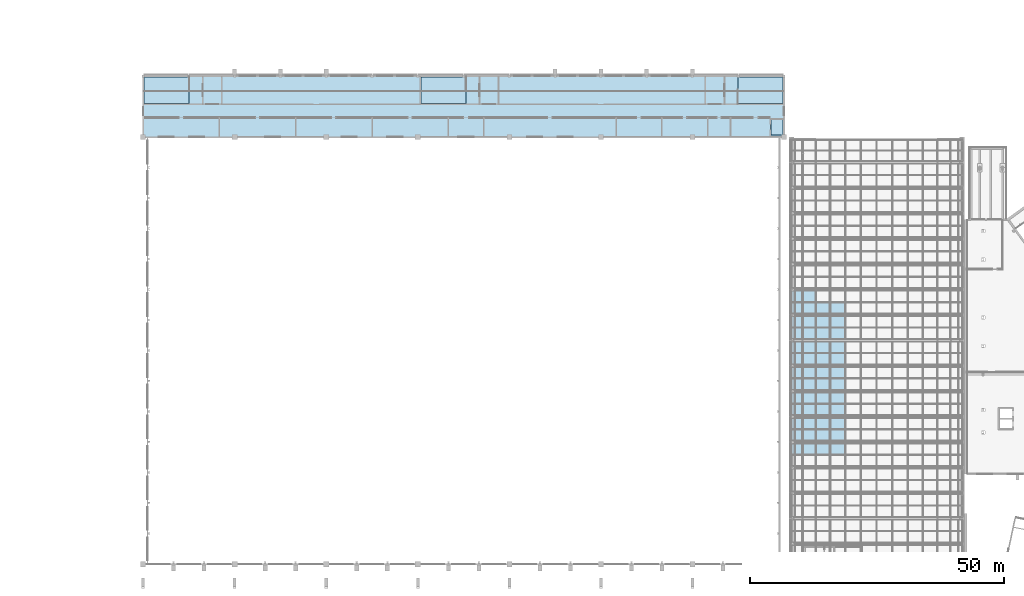
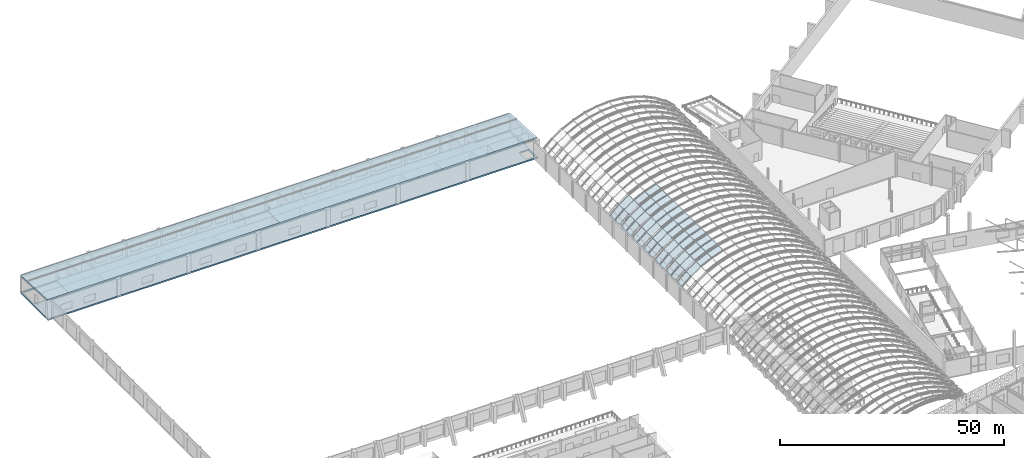
# One storey, part 112 of 182: 50 plates, 2 slabs, 7 elements without a shape of their own.
"""IFC4 building model written with IfcOpenShell, lengths in metres."""

from ifc_helpers import new_model, si_unit, direction, frame, origin, place, context, subcontext, project, spatial, polyline, outline, extrude, material, layer, layer_set, type_object, element, aggregate, save


model = new_model("IFC4")

# Units and contexts
model_context = context("Model", 3, precision=1e-05, world=origin(), true_north=direction((0.0, 1.0)))
body_context = subcontext(model_context, "Body", "Model", "MODEL_VIEW")
ifc_project = project(units=[si_unit("LENGTHUNIT", "METRE"), si_unit("AREAUNIT", "SQUARE_METRE"), si_unit("VOLUMEUNIT", "CUBIC_METRE"), si_unit("PLANEANGLEUNIT", "RADIAN"), si_unit("MASSUNIT", "GRAM", prefix="KILO")], contexts=[model_context])

# Site, building, storey
site_placement = place(None, origin())
site = spatial("IfcSite", under=ifc_project, at=site_placement, CompositionType="ELEMENT")
building_placement = place(site_placement, origin())
building = spatial("IfcBuilding", under=site, at=building_placement, Name="Okhra Congress Centre", CompositionType="ELEMENT")
storey_placement = place(building_placement, frame((0.0, 0.0, 7.199951171875)))
storey = spatial("IfcBuildingStorey", under=building, at=storey_placement, Name="L01", CompositionType="ELEMENT", Elevation=7.199951171875)

# Curtain wall, plates
ifc_material_1 = material(Name="Aluminium frame with triple glazing", Category="aluminium")
curtain_wall_type = type_object("IfcCurtainWallType", Name="Glazed vault bay curtain wall", PredefinedType="NOTDEFINED", material=ifc_material_1)
curtain_wall_1_placement = place(storey_placement, origin())
curtain_wall_1 = element("IfcCurtainWall", 1, at=curtain_wall_1_placement, inside=storey, type_object=curtain_wall_type, Name="Vault glazing bay 16", PredefinedType="NOTDEFINED")
ifc_material_2 = material(Name="Laminated toughened glass unit, low-e coating", Category="glass")
ifc_layer_1 = layer(ifc_material_2, 0.035888671875)
ifc_layer_set_1 = layer_set([ifc_layer_1], Name="Laminated safety glazing unit 36 mm")
plate_type_1 = type_object("IfcPlateType", Name="Laminated safety glazing unit 36 mm", PredefinedType="CURTAIN_PANEL", material=ifc_layer_set_1)
plate_1_placement = place(storey_placement, frame((155.3994140625, 153.530029296875, 1.94140625), z_axis=(-0.663696509452, 0.0, 0.748001967472), x_axis=(0.748001967472, 0.0, 0.663696509452)))
plate_1 = element("IfcPlate", 2, at=plate_1_placement, type_object=plate_type_1, Name="Vault glass panel 16.2.1", PredefinedType="CURTAIN_PANEL", context=body_context, shape_type="SweptSolid", body=[
    extrude(outline(polyline([(0.0, 0.0), (3.066763741617069, 0.0), (3.066763741617069, 2.206787109375), (0.0, 2.206787109375), (0.0, 0.0)])), origin(), (0.0, 0.0, -1.0), 0.035888671875),
])
plate_2_placement = place(storey_placement, frame((157.740478515625, 153.530029296875, 4.013427734375), z_axis=(-0.55946738617, 0.0, 0.82885236551), x_axis=(0.82885236551, 0.0, 0.55946738617)))
plate_2 = element("IfcPlate", 3, at=plate_2_placement, type_object=plate_type_1, Name="Vault glass panel 16.2.2", PredefinedType="CURTAIN_PANEL", context=body_context, shape_type="SweptSolid", body=[
    extrude(outline(polyline([(0.0, 0.0), (3.0668817430899797, 0.0), (3.0668817430899797, 2.206787109375), (0.0, 2.206787109375), (0.0, 0.0)])), origin(), (0.0, 0.0, -1.0), 0.035888671875),
])

curtain_wall_2_placement = place(storey_placement, origin())
curtain_wall_2 = element("IfcCurtainWall", 4, at=curtain_wall_2_placement, inside=storey, type_object=curtain_wall_type, Name="Vault glazing bay 17", PredefinedType="NOTDEFINED")
plate_3_placement = place(storey_placement, frame((155.3994140625, 156.26318359375, 1.94140625), z_axis=(-0.663696509452, 0.0, 0.748001967472), x_axis=(0.748001967472, 0.0, 0.663696509452)))
plate_3 = element("IfcPlate", 5, at=plate_3_placement, type_object=plate_type_1, Name="Vault glass panel 17.1.1", PredefinedType="CURTAIN_PANEL", context=body_context, shape_type="SweptSolid", body=[
    extrude(outline(polyline([(0.0, 0.0), (3.066763741617069, 0.0), (3.066763741617069, 2.206787109375), (0.0, 2.206787109375), (0.0, 0.0)])), origin(), (0.0, 0.0, -1.0), 0.035888671875),
])
plate_4_placement = place(storey_placement, frame((157.740478515625, 156.26318359375, 4.013427734375), z_axis=(-0.55946738617, 0.0, 0.82885236551), x_axis=(0.82885236551, 0.0, 0.55946738617)))
plate_4 = element("IfcPlate", 6, at=plate_4_placement, type_object=plate_type_1, Name="Vault glass panel 17.1.2", PredefinedType="CURTAIN_PANEL", context=body_context, shape_type="SweptSolid", body=[
    extrude(outline(polyline([(0.0, 0.0), (3.0668817430899797, 0.0), (3.0668817430899797, 2.206787109375), (0.0, 2.206787109375), (0.0, 0.0)])), origin(), (0.0, 0.0, -1.0), 0.035888671875),
])
plate_5_placement = place(storey_placement, frame((155.3994140625, 158.530029296875, 1.94140625), z_axis=(-0.663696509452, 0.0, 0.748001967472), x_axis=(0.748001967472, 0.0, 0.663696509452)))
plate_5 = element("IfcPlate", 7, at=plate_5_placement, type_object=plate_type_1, Name="Vault glass panel 17.2.1", PredefinedType="CURTAIN_PANEL", context=body_context, shape_type="SweptSolid", body=[
    extrude(outline(polyline([(0.0, 0.0), (3.066763741617069, 0.0), (3.066763741617069, 2.206787109375), (0.0, 2.206787109375), (0.0, 0.0)])), origin(), (0.0, 0.0, -1.0), 0.035888671875),
])
plate_6_placement = place(storey_placement, frame((157.740478515625, 158.530029296875, 4.013427734375), z_axis=(-0.55946738617, 0.0, 0.82885236551), x_axis=(0.82885236551, 0.0, 0.55946738617)))
plate_6 = element("IfcPlate", 8, at=plate_6_placement, type_object=plate_type_1, Name="Vault glass panel 17.2.2", PredefinedType="CURTAIN_PANEL", context=body_context, shape_type="SweptSolid", body=[
    extrude(outline(polyline([(0.0, 0.0), (3.0668817430899797, 0.0), (3.0668817430899797, 2.206787109375), (0.0, 2.206787109375), (0.0, 0.0)])), origin(), (0.0, 0.0, -1.0), 0.035888671875),
])

curtain_wall_3_placement = place(storey_placement, origin())
curtain_wall_3 = element("IfcCurtainWall", 9, at=curtain_wall_3_placement, inside=storey, type_object=curtain_wall_type, Name="Vault glazing bay 18", PredefinedType="NOTDEFINED")
plate_7_placement = place(storey_placement, frame((155.3994140625, 161.26318359375, 1.94140625), z_axis=(-0.663696509452, 0.0, 0.748001967472), x_axis=(0.748001967472, 0.0, 0.663696509452)))
plate_7 = element("IfcPlate", 10, at=plate_7_placement, type_object=plate_type_1, Name="Vault glass panel 18.1.1", PredefinedType="CURTAIN_PANEL", context=body_context, shape_type="SweptSolid", body=[
    extrude(outline(polyline([(0.0, 0.0), (3.066763741617069, 0.0), (3.066763741617069, 2.206787109375), (0.0, 2.206787109375), (0.0, 0.0)])), origin(), (0.0, 0.0, -1.0), 0.035888671875),
])
plate_8_placement = place(storey_placement, frame((157.740478515625, 161.26318359375, 4.013427734375), z_axis=(-0.55946738617, 0.0, 0.82885236551), x_axis=(0.82885236551, 0.0, 0.55946738617)))
plate_8 = element("IfcPlate", 11, at=plate_8_placement, type_object=plate_type_1, Name="Vault glass panel 18.1.2", PredefinedType="CURTAIN_PANEL", context=body_context, shape_type="SweptSolid", body=[
    extrude(outline(polyline([(0.0, 0.0), (3.0668817430899797, 0.0), (3.0668817430899797, 2.206787109375), (0.0, 2.206787109375), (0.0, 0.0)])), origin(), (0.0, 0.0, -1.0), 0.035888671875),
])
plate_9_placement = place(storey_placement, frame((155.3994140625, 163.530029296875, 1.94140625), z_axis=(-0.663696509452, 0.0, 0.748001967472), x_axis=(0.748001967472, 0.0, 0.663696509452)))
plate_9 = element("IfcPlate", 12, at=plate_9_placement, type_object=plate_type_1, Name="Vault glass panel 18.2.1", PredefinedType="CURTAIN_PANEL", context=body_context, shape_type="SweptSolid", body=[
    extrude(outline(polyline([(0.0, 0.0), (3.066763741617069, 0.0), (3.066763741617069, 2.206787109375), (0.0, 2.206787109375), (0.0, 0.0)])), origin(), (0.0, 0.0, -1.0), 0.035888671875),
])
plate_10_placement = place(storey_placement, frame((157.740478515625, 163.530029296875, 4.013427734375), z_axis=(-0.55946738617, 0.0, 0.82885236551), x_axis=(0.82885236551, 0.0, 0.55946738617)))
plate_10 = element("IfcPlate", 13, at=plate_10_placement, type_object=plate_type_1, Name="Vault glass panel 18.2.2", PredefinedType="CURTAIN_PANEL", context=body_context, shape_type="SweptSolid", body=[
    extrude(outline(polyline([(0.0, 0.0), (3.0668817430899797, 0.0), (3.0668817430899797, 2.206787109375), (0.0, 2.206787109375), (0.0, 0.0)])), origin(), (0.0, 0.0, -1.0), 0.035888671875),
])

curtain_wall_4_placement = place(storey_placement, origin())
curtain_wall_4 = element("IfcCurtainWall", 14, at=curtain_wall_4_placement, inside=storey, type_object=curtain_wall_type, Name="Vault glazing bay 19", PredefinedType="NOTDEFINED")
plate_11_placement = place(storey_placement, frame((155.3994140625, 166.26318359375, 1.94140625), z_axis=(-0.663696509452, 0.0, 0.748001967472), x_axis=(0.748001967472, 0.0, 0.663696509452)))
plate_11 = element("IfcPlate", 15, at=plate_11_placement, type_object=plate_type_1, Name="Vault glass panel 19.1.1", PredefinedType="CURTAIN_PANEL", context=body_context, shape_type="SweptSolid", body=[
    extrude(outline(polyline([(0.0, 0.0), (3.066763741617069, 0.0), (3.066763741617069, 2.206787109375), (0.0, 2.206787109375), (0.0, 0.0)])), origin(), (0.0, 0.0, -1.0), 0.035888671875),
])
plate_12_placement = place(storey_placement, frame((157.740478515625, 166.26318359375, 4.013427734375), z_axis=(-0.55946738617, 0.0, 0.82885236551), x_axis=(0.82885236551, 0.0, 0.55946738617)))
plate_12 = element("IfcPlate", 16, at=plate_12_placement, type_object=plate_type_1, Name="Vault glass panel 19.1.2", PredefinedType="CURTAIN_PANEL", context=body_context, shape_type="SweptSolid", body=[
    extrude(outline(polyline([(0.0, 0.0), (3.0668817430899797, 0.0), (3.0668817430899797, 2.206787109375), (0.0, 2.206787109375), (0.0, 0.0)])), origin(), (0.0, 0.0, -1.0), 0.035888671875),
])
plate_13_placement = place(storey_placement, frame((155.3994140625, 168.530029296875, 1.94140625), z_axis=(-0.663696509452, 0.0, 0.748001967472), x_axis=(0.748001967472, 0.0, 0.663696509452)))
plate_13 = element("IfcPlate", 17, at=plate_13_placement, type_object=plate_type_1, Name="Vault glass panel 19.2.1", PredefinedType="CURTAIN_PANEL", context=body_context, shape_type="SweptSolid", body=[
    extrude(outline(polyline([(0.0, 0.0), (3.066763741617069, 0.0), (3.066763741617069, 2.206787109375), (0.0, 2.206787109375), (0.0, 0.0)])), origin(), (0.0, 0.0, -1.0), 0.035888671875),
])
plate_14_placement = place(storey_placement, frame((157.740478515625, 168.530029296875, 4.013427734375), z_axis=(-0.55946738617, 0.0, 0.82885236551), x_axis=(0.82885236551, 0.0, 0.55946738617)))
plate_14 = element("IfcPlate", 18, at=plate_14_placement, type_object=plate_type_1, Name="Vault glass panel 19.2.2", PredefinedType="CURTAIN_PANEL", context=body_context, shape_type="SweptSolid", body=[
    extrude(outline(polyline([(0.0, 0.0), (3.0668817430899797, 0.0), (3.0668817430899797, 2.206787109375), (0.0, 2.206787109375), (0.0, 0.0)])), origin(), (0.0, 0.0, -1.0), 0.035888671875),
])

curtain_wall_5_placement = place(storey_placement, origin())
curtain_wall_5 = element("IfcCurtainWall", 19, at=curtain_wall_5_placement, inside=storey, type_object=curtain_wall_type, Name="Vault glazing bay 20", PredefinedType="NOTDEFINED")
plate_15_placement = place(storey_placement, frame((155.3994140625, 171.26318359375, 1.94140625), z_axis=(-0.663696509452, 0.0, 0.748001967472), x_axis=(0.748001967472, 0.0, 0.663696509452)))
plate_15 = element("IfcPlate", 20, at=plate_15_placement, type_object=plate_type_1, Name="Vault glass panel 20.1.1", PredefinedType="CURTAIN_PANEL", context=body_context, shape_type="SweptSolid", body=[
    extrude(outline(polyline([(0.0, 0.0), (3.066763741617069, 0.0), (3.066763741617069, 2.206787109375), (0.0, 2.206787109375), (0.0, 0.0)])), origin(), (0.0, 0.0, -1.0), 0.035888671875),
])
plate_16_placement = place(storey_placement, frame((157.740478515625, 171.26318359375, 4.013427734375), z_axis=(-0.55946738617, 0.0, 0.82885236551), x_axis=(0.82885236551, 0.0, 0.55946738617)))
plate_16 = element("IfcPlate", 21, at=plate_16_placement, type_object=plate_type_1, Name="Vault glass panel 20.1.2", PredefinedType="CURTAIN_PANEL", context=body_context, shape_type="SweptSolid", body=[
    extrude(outline(polyline([(0.0, 0.0), (3.0668817430899797, 0.0), (3.0668817430899797, 2.206787109375), (0.0, 2.206787109375), (0.0, 0.0)])), origin(), (0.0, 0.0, -1.0), 0.035888671875),
])
plate_17_placement = place(storey_placement, frame((155.3994140625, 173.530029296875, 1.94140625), z_axis=(-0.663696509452, 0.0, 0.748001967472), x_axis=(0.748001967472, 0.0, 0.663696509452)))
plate_17 = element("IfcPlate", 22, at=plate_17_placement, type_object=plate_type_1, Name="Vault glass panel 20.2.1", PredefinedType="CURTAIN_PANEL", context=body_context, shape_type="SweptSolid", body=[
    extrude(outline(polyline([(0.0, 0.0), (3.066763741617069, 0.0), (3.066763741617069, 2.206787109375), (0.0, 2.206787109375), (0.0, 0.0)])), origin(), (0.0, 0.0, -1.0), 0.035888671875),
])
plate_18_placement = place(storey_placement, frame((157.740478515625, 173.530029296875, 4.013427734375), z_axis=(-0.55946738617, 0.0, 0.82885236551), x_axis=(0.82885236551, 0.0, 0.55946738617)))
plate_18 = element("IfcPlate", 23, at=plate_18_placement, type_object=plate_type_1, Name="Vault glass panel 20.2.2", PredefinedType="CURTAIN_PANEL", context=body_context, shape_type="SweptSolid", body=[
    extrude(outline(polyline([(0.0, 0.0), (3.0668817430899797, 0.0), (3.0668817430899797, 2.206787109375), (0.0, 2.206787109375), (0.0, 0.0)])), origin(), (0.0, 0.0, -1.0), 0.035888671875),
])

curtain_wall_6_placement = place(storey_placement, origin())
curtain_wall_6 = element("IfcCurtainWall", 24, at=curtain_wall_6_placement, inside=storey, type_object=curtain_wall_type, Name="Vault glazing bay 21", PredefinedType="NOTDEFINED")
plate_19_placement = place(storey_placement, frame((155.3994140625, 176.26318359375, 1.94140625), z_axis=(-0.663696509452, 0.0, 0.748001967472), x_axis=(0.748001967472, 0.0, 0.663696509452)))
plate_19 = element("IfcPlate", 25, at=plate_19_placement, type_object=plate_type_1, Name="Vault glass panel 21.1.1", PredefinedType="CURTAIN_PANEL", context=body_context, shape_type="SweptSolid", body=[
    extrude(outline(polyline([(0.0, 0.0), (3.066763741617069, 0.0), (3.066763741617069, 2.206787109375), (0.0, 2.206787109375), (0.0, 0.0)])), origin(), (0.0, 0.0, -1.0), 0.035888671875),
])
plate_20_placement = place(storey_placement, frame((157.740478515625, 176.26318359375, 4.013427734375), z_axis=(-0.55946738617, 0.0, 0.82885236551), x_axis=(0.82885236551, 0.0, 0.55946738617)))
plate_20 = element("IfcPlate", 26, at=plate_20_placement, type_object=plate_type_1, Name="Vault glass panel 21.1.2", PredefinedType="CURTAIN_PANEL", context=body_context, shape_type="SweptSolid", body=[
    extrude(outline(polyline([(0.0, 0.0), (3.0668817430899797, 0.0), (3.0668817430899797, 2.206787109375), (0.0, 2.206787109375), (0.0, 0.0)])), origin(), (0.0, 0.0, -1.0), 0.035888671875),
])
plate_21_placement = place(storey_placement, frame((155.3994140625, 178.530029296875, 1.94140625), z_axis=(-0.663696509452, 0.0, 0.748001967472), x_axis=(0.748001967472, 0.0, 0.663696509452)))
plate_21 = element("IfcPlate", 27, at=plate_21_placement, type_object=plate_type_1, Name="Vault glass panel 21.2.1", PredefinedType="CURTAIN_PANEL", context=body_context, shape_type="SweptSolid", body=[
    extrude(outline(polyline([(0.0, 0.0), (3.066763741617069, 0.0), (3.066763741617069, 2.206787109375), (0.0, 2.206787109375), (0.0, 0.0)])), origin(), (0.0, 0.0, -1.0), 0.035888671875),
])
plate_22_placement = place(storey_placement, frame((157.740478515625, 178.530029296875, 4.013427734375), z_axis=(-0.55946738617, 0.0, 0.82885236551), x_axis=(0.82885236551, 0.0, 0.55946738617)))
plate_22 = element("IfcPlate", 28, at=plate_22_placement, type_object=plate_type_1, Name="Vault glass panel 21.2.2", PredefinedType="CURTAIN_PANEL", context=body_context, shape_type="SweptSolid", body=[
    extrude(outline(polyline([(0.0, 0.0), (3.0668817430899797, 0.0), (3.0668817430899797, 2.206787109375), (0.0, 2.206787109375), (0.0, 0.0)])), origin(), (0.0, 0.0, -1.0), 0.035888671875),
])

curtain_wall_7_placement = place(storey_placement, origin())
curtain_wall_7 = element("IfcCurtainWall", 29, at=curtain_wall_7_placement, inside=storey, type_object=curtain_wall_type, Name="Vault glazing bay 22", PredefinedType="NOTDEFINED")
plate_23_placement = place(storey_placement, frame((155.3994140625, 181.26318359375, 1.94140625), z_axis=(-0.663696509452, 0.0, 0.748001967472), x_axis=(0.748001967472, 0.0, 0.663696509452)))
plate_23 = element("IfcPlate", 30, at=plate_23_placement, type_object=plate_type_1, Name="Vault glass panel 22.1.1", PredefinedType="CURTAIN_PANEL", context=body_context, shape_type="SweptSolid", body=[
    extrude(outline(polyline([(0.0, 0.0), (3.066763741617069, 0.0), (3.066763741617069, 2.206787109375), (0.0, 2.206787109375), (0.0, 0.0)])), origin(), (0.0, 0.0, -1.0), 0.035888671875),
])
plate_24_placement = place(storey_placement, frame((157.740478515625, 181.26318359375, 4.013427734375), z_axis=(-0.55946738617, 0.0, 0.82885236551), x_axis=(0.82885236551, 0.0, 0.55946738617)))
plate_24 = element("IfcPlate", 31, at=plate_24_placement, type_object=plate_type_1, Name="Vault glass panel 22.1.2", PredefinedType="CURTAIN_PANEL", context=body_context, shape_type="SweptSolid", body=[
    extrude(outline(polyline([(0.0, 0.0), (3.0668817430899797, 0.0), (3.0668817430899797, 2.206787109375), (0.0, 2.206787109375), (0.0, 0.0)])), origin(), (0.0, 0.0, -1.0), 0.035888671875),
])
plate_25_placement = place(storey_placement, frame((155.3994140625, 183.530029296875, 1.94140625), z_axis=(-0.663696509452, 0.0, 0.748001967472), x_axis=(0.748001967472, 0.0, 0.663696509452)))
plate_25 = element("IfcPlate", 32, at=plate_25_placement, type_object=plate_type_1, Name="Vault glass panel 22.2.1", PredefinedType="CURTAIN_PANEL", context=body_context, shape_type="SweptSolid", body=[
    extrude(outline(polyline([(0.0, 0.0), (3.066763741617069, 0.0), (3.066763741617069, 2.206787109375), (0.0, 2.206787109375), (0.0, 0.0)])), origin(), (0.0, 0.0, -1.0), 0.035888671875),
])
plate_26_placement = place(storey_placement, frame((157.740478515625, 183.530029296875, 4.013427734375), z_axis=(-0.55946738617, 0.0, 0.82885236551), x_axis=(0.82885236551, 0.0, 0.55946738617)))
plate_26 = element("IfcPlate", 33, at=plate_26_placement, type_object=plate_type_1, Name="Vault glass panel 22.2.2", PredefinedType="CURTAIN_PANEL", context=body_context, shape_type="SweptSolid", body=[
    extrude(outline(polyline([(0.0, 0.0), (3.0668817430899797, 0.0), (3.0668817430899797, 2.206787109375), (0.0, 2.206787109375), (0.0, 0.0)])), origin(), (0.0, 0.0, -1.0), 0.035888671875),
])

# Slabs
ifc_material_3 = material(Name="Concrete C35/45", Category="concrete")
ifc_layer_2 = layer(ifc_material_3, 0.39990234375)
ifc_layer_set_2 = layer_set([ifc_layer_2], Name="RC floor slab 400 REI 120 C35/45")
slab_type_1 = type_object("IfcSlabType", Name="RC floor slab 400 REI 120 C35/45", PredefinedType="FLOOR", material=ifc_layer_set_2)
slab_1_placement = place(storey_placement, frame((0.0, 0.0, -0.39990234375)))
element("IfcSlab", 34, at=slab_1_placement, inside=storey, type_object=slab_type_1, Name="EH.SLAB.L01.F1", PredefinedType="FLOOR", context=body_context, shape_type="SweptSolid", body=[
    extrude(outline(polyline([(27.824951171875, 215.85009765625), (154.175048828125, 215.85009765625), (154.175048828125, 228.175048828125), (27.824951171875, 228.175048828125), (27.824951171875, 215.85009765625)]), holes=[polyline([(37.014892578125, 227.824951171875), (28.175048828125, 227.824951171875), (28.175048828125, 222.574951171875), (37.014892578125, 222.574951171875), (37.014892578125, 227.824951171875)]), polyline([(91.43994140625, 227.824951171875), (82.60009765625, 227.824951171875), (82.60009765625, 222.574951171875), (91.43994140625, 222.574951171875), (91.43994140625, 227.824951171875)]), polyline([(144.985107421875, 222.574951171875), (153.824951171875, 222.574951171875), (153.824951171875, 227.824951171875), (144.985107421875, 227.824951171875), (144.985107421875, 222.574951171875)]), polyline([(151.425048828125, 216.449951171875), (153.824951171875, 216.449951171875), (153.824951171875, 219.449951171875), (151.425048828125, 219.449951171875), (151.425048828125, 216.449951171875)])]), origin(), (0.0, 0.0, 1.0), 0.39990234375),
])
ifc_layer_3 = layer(ifc_material_3, 0.39990234375)
ifc_layer_set_3 = layer_set([ifc_layer_3], Name="RC roof slab 400 C35/45")
slab_type_2 = type_object("IfcSlabType", Name="RC roof slab 400 C35/45", PredefinedType="ROOF", material=ifc_layer_set_3)
slab_2_placement = place(storey_placement, frame((27.824951171875, 216.14990234375, 5.14208984375), z_axis=(0.0, 0.052328977224, 0.998629900485), x_axis=(1.0, 0.0, 0.0)))
element("IfcSlab", 35, at=slab_2_placement, inside=storey, type_object=slab_type_2, Name="Strip roof slab", PredefinedType="ROOF", context=body_context, shape_type="SweptSolid", body=[
    extrude(outline(polyline([(0.0, 0.0), (126.35009765625, 0.0), (126.35009765625, 12.041644735987315), (0.0, 12.041644735987315), (0.0, 0.0)])), origin(), (0.0, 0.0, -1.0), 0.39990234375),
])

# Plate
ifc_material_4 = material(Name="Toughened triple glazed unit")
ifc_layer_4 = layer(ifc_material_4, 0.028076171875)
ifc_layer_set_4 = layer_set([ifc_layer_4], Name="Triple glazed unit 28 mm")
plate_type_2 = type_object("IfcPlateType", Name="Triple glazed unit 28 mm", PredefinedType="CURTAIN_PANEL", material=ifc_layer_set_4)
plate_27_placement = place(storey_placement, frame((160.336181640625, 153.530029296875, 5.756103515625), z_axis=(-0.445588482535, 0.0, 0.895237903706), x_axis=(0.895237903706, 0.0, 0.445588482535)))
plate_27 = element("IfcPlate", 36, at=plate_27_placement, type_object=plate_type_2, Name="Vault glass panel 16.2.3", PredefinedType="CURTAIN_PANEL", context=body_context, shape_type="SweptSolid", body=[
    extrude(outline(polyline([(0.0, 0.0), (3.066082250887193, 0.0), (3.066082250887193, 2.206787109375), (0.0, 2.206787109375), (0.0, 0.0)])), origin(), (0.0, 0.0, -1.0), 0.028076171875),
])

plate_28_placement = place(storey_placement, frame((163.13623046875, 153.530029296875, 7.145263671875), z_axis=(-0.323909017048, 0.0, 0.946088235143), x_axis=(0.946088235143, 0.0, 0.323909017048)))
plate_28 = element("IfcPlate", 37, at=plate_28_placement, type_object=plate_type_2, Name="Vault glass panel 16.2.4", PredefinedType="CURTAIN_PANEL", context=body_context, shape_type="SweptSolid", body=[
    extrude(outline(polyline([(0.0, 0.0), (3.0661822000278622, 0.0), (3.0661822000278622, 2.2067871093750004), (0.0, 2.2067871093750004), (0.0, 0.0)])), origin(), (0.0, 0.0, -1.0), 0.028076171875),
])

aggregate(curtain_wall_1, [plate_1, plate_2, plate_27, plate_28])

plate_29_placement = place(storey_placement, frame((160.336181640625, 156.26318359375, 5.756103515625), z_axis=(-0.445588482535, 0.0, 0.895237903706), x_axis=(0.895237903706, 0.0, 0.445588482535)))
plate_29 = element("IfcPlate", 38, at=plate_29_placement, type_object=plate_type_2, Name="Vault glass panel 17.1.3", PredefinedType="CURTAIN_PANEL", context=body_context, shape_type="SweptSolid", body=[
    extrude(outline(polyline([(0.0, 0.0), (3.066082250887193, 0.0), (3.066082250887193, 2.206787109375), (0.0, 2.206787109375), (0.0, 0.0)])), origin(), (0.0, 0.0, -1.0), 0.028076171875),
])

plate_30_placement = place(storey_placement, frame((163.13623046875, 156.26318359375, 7.145263671875), z_axis=(-0.323909017048, 0.0, 0.946088235143), x_axis=(0.946088235143, 0.0, 0.323909017048)))
plate_30 = element("IfcPlate", 39, at=plate_30_placement, type_object=plate_type_2, Name="Vault glass panel 17.1.4", PredefinedType="CURTAIN_PANEL", context=body_context, shape_type="SweptSolid", body=[
    extrude(outline(polyline([(0.0, 0.0), (3.0661822000278622, 0.0), (3.0661822000278622, 2.2067871093750004), (0.0, 2.2067871093750004), (0.0, 0.0)])), origin(), (0.0, 0.0, -1.0), 0.028076171875),
])

plate_31_placement = place(storey_placement, frame((160.336181640625, 158.530029296875, 5.756103515625), z_axis=(-0.445588482535, 0.0, 0.895237903706), x_axis=(0.895237903706, 0.0, 0.445588482535)))
plate_31 = element("IfcPlate", 40, at=plate_31_placement, type_object=plate_type_2, Name="Vault glass panel 17.2.3", PredefinedType="CURTAIN_PANEL", context=body_context, shape_type="SweptSolid", body=[
    extrude(outline(polyline([(0.0, 0.0), (3.066082250887193, 0.0), (3.066082250887193, 2.206787109375), (0.0, 2.206787109375), (0.0, 0.0)])), origin(), (0.0, 0.0, -1.0), 0.028076171875),
])

plate_32_placement = place(storey_placement, frame((163.13623046875, 158.530029296875, 7.145263671875), z_axis=(-0.323909017048, 0.0, 0.946088235143), x_axis=(0.946088235143, 0.0, 0.323909017048)))
plate_32 = element("IfcPlate", 41, at=plate_32_placement, type_object=plate_type_2, Name="Vault glass panel 17.2.4", PredefinedType="CURTAIN_PANEL", context=body_context, shape_type="SweptSolid", body=[
    extrude(outline(polyline([(0.0, 0.0), (3.0661822000278622, 0.0), (3.0661822000278622, 2.2067871093750004), (0.0, 2.2067871093750004), (0.0, 0.0)])), origin(), (0.0, 0.0, -1.0), 0.028076171875),
])

aggregate(curtain_wall_2, [plate_3, plate_4, plate_29, plate_30, plate_5, plate_6, plate_31, plate_32])

plate_33_placement = place(storey_placement, frame((160.336181640625, 161.26318359375, 5.756103515625), z_axis=(-0.445588482535, 0.0, 0.895237903706), x_axis=(0.895237903706, 0.0, 0.445588482535)))
plate_33 = element("IfcPlate", 42, at=plate_33_placement, type_object=plate_type_2, Name="Vault glass panel 18.1.3", PredefinedType="CURTAIN_PANEL", context=body_context, shape_type="SweptSolid", body=[
    extrude(outline(polyline([(0.0, 0.0), (3.066082250887193, 0.0), (3.066082250887193, 2.206787109375), (0.0, 2.206787109375), (0.0, 0.0)])), origin(), (0.0, 0.0, -1.0), 0.028076171875),
])

plate_34_placement = place(storey_placement, frame((163.13623046875, 161.26318359375, 7.145263671875), z_axis=(-0.323909017048, 0.0, 0.946088235143), x_axis=(0.946088235143, 0.0, 0.323909017048)))
plate_34 = element("IfcPlate", 43, at=plate_34_placement, type_object=plate_type_2, Name="Vault glass panel 18.1.4", PredefinedType="CURTAIN_PANEL", context=body_context, shape_type="SweptSolid", body=[
    extrude(outline(polyline([(0.0, 0.0), (3.0661822000278622, 0.0), (3.0661822000278622, 2.2067871093750004), (0.0, 2.2067871093750004), (0.0, 0.0)])), origin(), (0.0, 0.0, -1.0), 0.028076171875),
])

plate_35_placement = place(storey_placement, frame((160.336181640625, 163.530029296875, 5.756103515625), z_axis=(-0.445588482535, 0.0, 0.895237903706), x_axis=(0.895237903706, 0.0, 0.445588482535)))
plate_35 = element("IfcPlate", 44, at=plate_35_placement, type_object=plate_type_2, Name="Vault glass panel 18.2.3", PredefinedType="CURTAIN_PANEL", context=body_context, shape_type="SweptSolid", body=[
    extrude(outline(polyline([(0.0, 0.0), (3.066082250887193, 0.0), (3.066082250887193, 2.206787109375), (0.0, 2.206787109375), (0.0, 0.0)])), origin(), (0.0, 0.0, -1.0), 0.028076171875),
])

plate_36_placement = place(storey_placement, frame((163.13623046875, 163.530029296875, 7.145263671875), z_axis=(-0.323909017048, 0.0, 0.946088235143), x_axis=(0.946088235143, 0.0, 0.323909017048)))
plate_36 = element("IfcPlate", 45, at=plate_36_placement, type_object=plate_type_2, Name="Vault glass panel 18.2.4", PredefinedType="CURTAIN_PANEL", context=body_context, shape_type="SweptSolid", body=[
    extrude(outline(polyline([(0.0, 0.0), (3.0661822000278622, 0.0), (3.0661822000278622, 2.2067871093750004), (0.0, 2.2067871093750004), (0.0, 0.0)])), origin(), (0.0, 0.0, -1.0), 0.028076171875),
])

aggregate(curtain_wall_3, [plate_7, plate_8, plate_33, plate_34, plate_9, plate_10, plate_35, plate_36])

plate_37_placement = place(storey_placement, frame((160.336181640625, 166.26318359375, 5.756103515625), z_axis=(-0.445588482535, 0.0, 0.895237903706), x_axis=(0.895237903706, 0.0, 0.445588482535)))
plate_37 = element("IfcPlate", 46, at=plate_37_placement, type_object=plate_type_2, Name="Vault glass panel 19.1.3", PredefinedType="CURTAIN_PANEL", context=body_context, shape_type="SweptSolid", body=[
    extrude(outline(polyline([(0.0, 0.0), (3.066082250887193, 0.0), (3.066082250887193, 2.206787109375), (0.0, 2.206787109375), (0.0, 0.0)])), origin(), (0.0, 0.0, -1.0), 0.028076171875),
])

plate_38_placement = place(storey_placement, frame((163.13623046875, 166.26318359375, 7.145263671875), z_axis=(-0.323909017048, 0.0, 0.946088235143), x_axis=(0.946088235143, 0.0, 0.323909017048)))
plate_38 = element("IfcPlate", 47, at=plate_38_placement, type_object=plate_type_2, Name="Vault glass panel 19.1.4", PredefinedType="CURTAIN_PANEL", context=body_context, shape_type="SweptSolid", body=[
    extrude(outline(polyline([(0.0, 0.0), (3.0661822000278622, 0.0), (3.0661822000278622, 2.2067871093750004), (0.0, 2.2067871093750004), (0.0, 0.0)])), origin(), (0.0, 0.0, -1.0), 0.028076171875),
])

plate_39_placement = place(storey_placement, frame((160.336181640625, 168.530029296875, 5.756103515625), z_axis=(-0.445588482535, 0.0, 0.895237903706), x_axis=(0.895237903706, 0.0, 0.445588482535)))
plate_39 = element("IfcPlate", 48, at=plate_39_placement, type_object=plate_type_2, Name="Vault glass panel 19.2.3", PredefinedType="CURTAIN_PANEL", context=body_context, shape_type="SweptSolid", body=[
    extrude(outline(polyline([(0.0, 0.0), (3.066082250887193, 0.0), (3.066082250887193, 2.206787109375), (0.0, 2.206787109375), (0.0, 0.0)])), origin(), (0.0, 0.0, -1.0), 0.028076171875),
])

plate_40_placement = place(storey_placement, frame((163.13623046875, 168.530029296875, 7.145263671875), z_axis=(-0.323909017048, 0.0, 0.946088235143), x_axis=(0.946088235143, 0.0, 0.323909017048)))
plate_40 = element("IfcPlate", 49, at=plate_40_placement, type_object=plate_type_2, Name="Vault glass panel 19.2.4", PredefinedType="CURTAIN_PANEL", context=body_context, shape_type="SweptSolid", body=[
    extrude(outline(polyline([(0.0, 0.0), (3.0661822000278622, 0.0), (3.0661822000278622, 2.2067871093750004), (0.0, 2.2067871093750004), (0.0, 0.0)])), origin(), (0.0, 0.0, -1.0), 0.028076171875),
])

aggregate(curtain_wall_4, [plate_11, plate_12, plate_37, plate_38, plate_13, plate_14, plate_39, plate_40])

plate_41_placement = place(storey_placement, frame((160.336181640625, 171.26318359375, 5.756103515625), z_axis=(-0.445588482535, 0.0, 0.895237903706), x_axis=(0.895237903706, 0.0, 0.445588482535)))
plate_41 = element("IfcPlate", 50, at=plate_41_placement, type_object=plate_type_2, Name="Vault glass panel 20.1.3", PredefinedType="CURTAIN_PANEL", context=body_context, shape_type="SweptSolid", body=[
    extrude(outline(polyline([(0.0, 0.0), (3.066082250887193, 0.0), (3.066082250887193, 2.206787109375), (0.0, 2.206787109375), (0.0, 0.0)])), origin(), (0.0, 0.0, -1.0), 0.028076171875),
])

plate_42_placement = place(storey_placement, frame((163.13623046875, 171.26318359375, 7.145263671875), z_axis=(-0.323909017048, 0.0, 0.946088235143), x_axis=(0.946088235143, 0.0, 0.323909017048)))
plate_42 = element("IfcPlate", 51, at=plate_42_placement, type_object=plate_type_2, Name="Vault glass panel 20.1.4", PredefinedType="CURTAIN_PANEL", context=body_context, shape_type="SweptSolid", body=[
    extrude(outline(polyline([(0.0, 0.0), (3.0661822000278622, 0.0), (3.0661822000278622, 2.2067871093750004), (0.0, 2.2067871093750004), (0.0, 0.0)])), origin(), (0.0, 0.0, -1.0), 0.028076171875),
])

plate_43_placement = place(storey_placement, frame((160.336181640625, 173.530029296875, 5.756103515625), z_axis=(-0.445588482535, 0.0, 0.895237903706), x_axis=(0.895237903706, 0.0, 0.445588482535)))
plate_43 = element("IfcPlate", 52, at=plate_43_placement, type_object=plate_type_2, Name="Vault glass panel 20.2.3", PredefinedType="CURTAIN_PANEL", context=body_context, shape_type="SweptSolid", body=[
    extrude(outline(polyline([(0.0, 0.0), (3.066082250887193, 0.0), (3.066082250887193, 2.206787109375), (0.0, 2.206787109375), (0.0, 0.0)])), origin(), (0.0, 0.0, -1.0), 0.028076171875),
])

plate_44_placement = place(storey_placement, frame((163.13623046875, 173.530029296875, 7.145263671875), z_axis=(-0.323909017048, 0.0, 0.946088235143), x_axis=(0.946088235143, 0.0, 0.323909017048)))
plate_44 = element("IfcPlate", 53, at=plate_44_placement, type_object=plate_type_2, Name="Vault glass panel 20.2.4", PredefinedType="CURTAIN_PANEL", context=body_context, shape_type="SweptSolid", body=[
    extrude(outline(polyline([(0.0, 0.0), (3.0661822000278622, 0.0), (3.0661822000278622, 2.2067871093750004), (0.0, 2.2067871093750004), (0.0, 0.0)])), origin(), (0.0, 0.0, -1.0), 0.028076171875),
])

aggregate(curtain_wall_5, [plate_15, plate_16, plate_41, plate_42, plate_17, plate_18, plate_43, plate_44])

plate_45_placement = place(storey_placement, frame((160.336181640625, 176.26318359375, 5.756103515625), z_axis=(-0.445588482535, 0.0, 0.895237903706), x_axis=(0.895237903706, 0.0, 0.445588482535)))
plate_45 = element("IfcPlate", 54, at=plate_45_placement, type_object=plate_type_2, Name="Vault glass panel 21.1.3", PredefinedType="CURTAIN_PANEL", context=body_context, shape_type="SweptSolid", body=[
    extrude(outline(polyline([(0.0, 0.0), (3.066082250887193, 0.0), (3.066082250887193, 2.206787109375), (0.0, 2.206787109375), (0.0, 0.0)])), origin(), (0.0, 0.0, -1.0), 0.028076171875),
])

plate_46_placement = place(storey_placement, frame((163.13623046875, 176.26318359375, 7.145263671875), z_axis=(-0.323909017048, 0.0, 0.946088235143), x_axis=(0.946088235143, 0.0, 0.323909017048)))
plate_46 = element("IfcPlate", 55, at=plate_46_placement, type_object=plate_type_2, Name="Vault glass panel 21.1.4", PredefinedType="CURTAIN_PANEL", context=body_context, shape_type="SweptSolid", body=[
    extrude(outline(polyline([(0.0, 0.0), (3.0661822000278622, 0.0), (3.0661822000278622, 2.2067871093750004), (0.0, 2.2067871093750004), (0.0, 0.0)])), origin(), (0.0, 0.0, -1.0), 0.028076171875),
])

plate_47_placement = place(storey_placement, frame((160.336181640625, 178.530029296875, 5.756103515625), z_axis=(-0.445588482535, 0.0, 0.895237903706), x_axis=(0.895237903706, 0.0, 0.445588482535)))
plate_47 = element("IfcPlate", 56, at=plate_47_placement, type_object=plate_type_2, Name="Vault glass panel 21.2.3", PredefinedType="CURTAIN_PANEL", context=body_context, shape_type="SweptSolid", body=[
    extrude(outline(polyline([(0.0, 0.0), (3.066082250887193, 0.0), (3.066082250887193, 2.206787109375), (0.0, 2.206787109375), (0.0, 0.0)])), origin(), (0.0, 0.0, -1.0), 0.028076171875),
])

plate_48_placement = place(storey_placement, frame((163.13623046875, 178.530029296875, 7.145263671875), z_axis=(-0.323909017048, 0.0, 0.946088235143), x_axis=(0.946088235143, 0.0, 0.323909017048)))
plate_48 = element("IfcPlate", 57, at=plate_48_placement, type_object=plate_type_2, Name="Vault glass panel 21.2.4", PredefinedType="CURTAIN_PANEL", context=body_context, shape_type="SweptSolid", body=[
    extrude(outline(polyline([(0.0, 0.0), (3.0661822000278622, 0.0), (3.0661822000278622, 2.2067871093750004), (0.0, 2.2067871093750004), (0.0, 0.0)])), origin(), (0.0, 0.0, -1.0), 0.028076171875),
])

aggregate(curtain_wall_6, [plate_19, plate_20, plate_45, plate_46, plate_21, plate_22, plate_47, plate_48])

plate_49_placement = place(storey_placement, frame((160.336181640625, 181.26318359375, 5.756103515625), z_axis=(-0.445588482535, 0.0, 0.895237903706), x_axis=(0.895237903706, 0.0, 0.445588482535)))
plate_49 = element("IfcPlate", 58, at=plate_49_placement, type_object=plate_type_2, Name="Vault glass panel 22.1.3", PredefinedType="CURTAIN_PANEL", context=body_context, shape_type="SweptSolid", body=[
    extrude(outline(polyline([(0.0, 0.0), (3.066082250887193, 0.0), (3.066082250887193, 2.206787109375), (0.0, 2.206787109375), (0.0, 0.0)])), origin(), (0.0, 0.0, -1.0), 0.028076171875),
])

plate_50_placement = place(storey_placement, frame((163.13623046875, 181.26318359375, 7.145263671875), z_axis=(-0.323909017048, 0.0, 0.946088235143), x_axis=(0.946088235143, 0.0, 0.323909017048)))
plate_50 = element("IfcPlate", 59, at=plate_50_placement, type_object=plate_type_2, Name="Vault glass panel 22.1.4", PredefinedType="CURTAIN_PANEL", context=body_context, shape_type="SweptSolid", body=[
    extrude(outline(polyline([(0.0, 0.0), (3.0661822000278622, 0.0), (3.0661822000278622, 2.2067871093750004), (0.0, 2.2067871093750004), (0.0, 0.0)])), origin(), (0.0, 0.0, -1.0), 0.028076171875),
])

aggregate(curtain_wall_7, [plate_23, plate_24, plate_49, plate_50, plate_25, plate_26])

save(model, "model.ifc")
